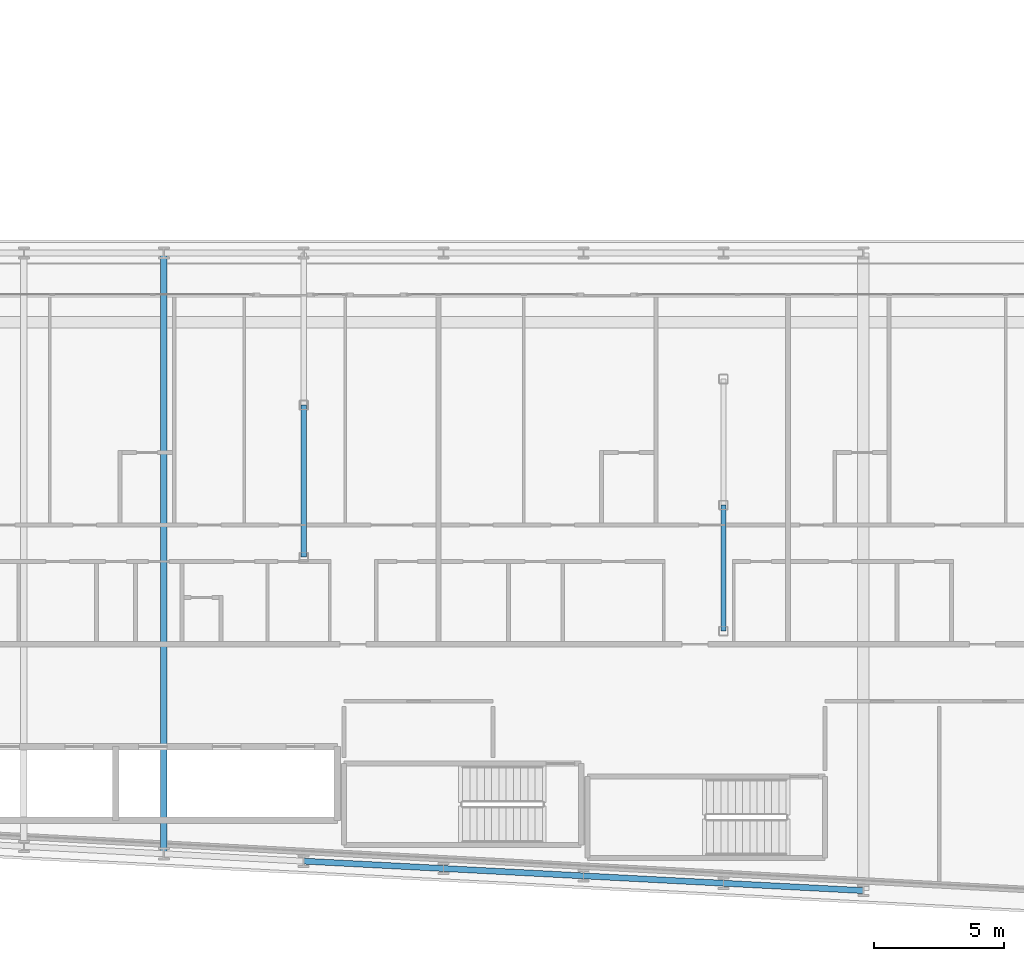
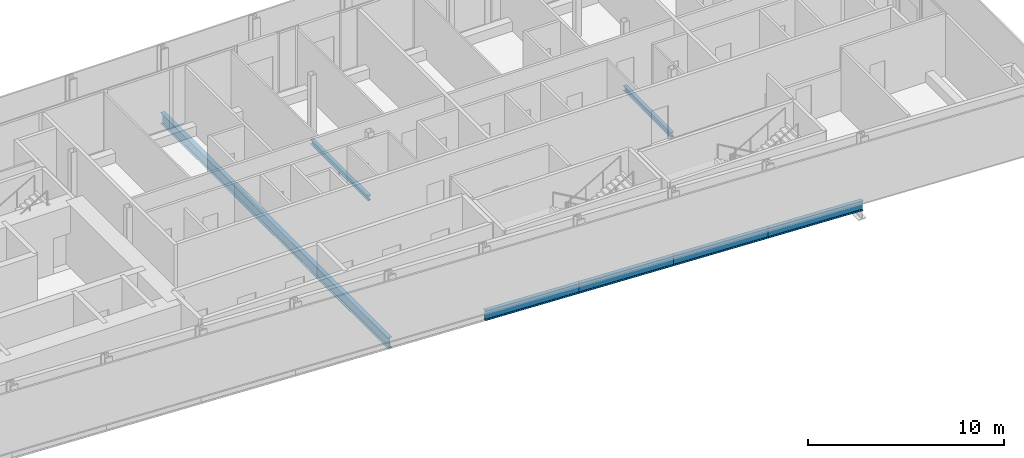
# One storey, part 5 of 29: 7 beams.
"""IFC4 building model written with IfcOpenShell, lengths in metres."""

import ifcopenshell
import ifcopenshell.guid

model = None  # the IFC model being written
_history = None  # IfcOwnerHistory: only IFC2X3 demands one
_inside = {}  # id of a spatial element -> (the spatial element, [elements in it])
_under = {}  # id of a project, library or spatial element -> (it, [spatial elements below it])
_declared = {}  # id of a project -> (the project, [libraries it declares])
_typed = {}  # id of a type object -> (the type object, [elements of that type])
_made_of = {}  # id of a material, layer set ... -> (it, [elements and type objects made of it])


def new_model(schema):
    """Start an empty IFC model of exactly this schema.

    Asked for "IFC4X3", IfcOpenShell would pick the latest addendum, in which some entities
    have other attributes; the version numbers below select the first issue.
    IFC2X3 requires an IfcOwnerHistory on every rooted entity: one is made here for all.
    """
    global model, _history
    if schema == "IFC4X3":
        model = ifcopenshell.file(schema_version=(4, 3, 0, 0))
    else:
        model = ifcopenshell.file(schema=schema)
    _inside.clear()
    _under.clear()
    _declared.clear()
    _typed.clear()
    _made_of.clear()
    _history = None
    if model.schema == "IFC2X3":
        org = make("IfcOrganization", Name="unknown")
        user = make(
            "IfcPersonAndOrganization",
            ThePerson=make("IfcPerson", FamilyName="unknown"),
            TheOrganization=org,
        )
        app = make(
            "IfcApplication",
            ApplicationDeveloper=org,
            Version="unknown",
            ApplicationFullName="unknown",
            ApplicationIdentifier="unknown",
        )
        _history = make(
            "IfcOwnerHistory",
            OwningUser=user,
            OwningApplication=app,
            ChangeAction="ADDED",
            CreationDate=0,
        )
    return model


def make(cls, **values):
    """One entity of the class cls with the attributes given. An attribute that is None is left unset."""
    return model.create_entity(
        cls, **{name: value for name, value in values.items() if value is not None}
    )


def rooted(cls, **values):
    """An entity with a GlobalId (a new one), such as an element, a storey or a relation."""
    return make(cls, GlobalId=ifcopenshell.guid.new(), OwnerHistory=_history, **values)


def si_unit(unit_type, name, prefix=None):
    """IfcSIUnit, for example si_unit("LENGTHUNIT", "METRE", prefix="MILLI")."""
    return make("IfcSIUnit", UnitType=unit_type, Prefix=prefix, Name=name)


def assignment(units):
    """IfcUnitAssignment: the units of a project."""
    return None if units is None else make("IfcUnitAssignment", Units=units)


def point(xyz):
    """IfcCartesianPoint."""
    return None if xyz is None else make("IfcCartesianPoint", Coordinates=xyz)


def direction(xyz):
    """IfcDirection."""
    return None if xyz is None else make("IfcDirection", DirectionRatios=xyz)


def frame(location, z_axis=None, x_axis=None):
    """IfcAxis2Placement3D, a coordinate frame: its origin and axes. An axis left out is left unset."""
    return make(
        "IfcAxis2Placement3D",
        Location=point(location),
        Axis=direction(z_axis),
        RefDirection=direction(x_axis),
    )


def frame_2d(location, x_axis=None):
    """IfcAxis2Placement2D, a coordinate frame in the plane: its origin and x axis."""
    return make(
        "IfcAxis2Placement2D", Location=point(location), RefDirection=direction(x_axis)
    )


def origin():
    """The frame at (0, 0, 0) with its axes left unset."""
    return frame((0.0, 0.0, 0.0))


def origin_2d():
    """The frame at (0, 0) in the plane with its x axis left unset."""
    return frame_2d((0.0, 0.0))


def place(relative_to, where):
    """IfcLocalPlacement: puts the frame where relative to a parent placement (None: the world)."""
    return make(
        "IfcLocalPlacement", PlacementRelTo=relative_to, RelativePlacement=where
    )


def context(
    kind, dimensions, precision=None, world=None, true_north=None, identifier=None
):
    """IfcGeometricRepresentationContext, for example the 3D "Model" context."""
    return make(
        "IfcGeometricRepresentationContext",
        ContextIdentifier=identifier,
        ContextType=kind,
        CoordinateSpaceDimension=dimensions,
        Precision=precision,
        WorldCoordinateSystem=world,
        TrueNorth=true_north,
    )


def subcontext(parent, identifier, kind, view, scale=None):
    """IfcGeometricRepresentationSubContext, for example "Body" below "Model"."""
    return make(
        "IfcGeometricRepresentationSubContext",
        ContextIdentifier=identifier,
        ContextType=kind,
        ParentContext=parent,
        TargetScale=scale,
        TargetView=view,
    )


def project(units=None, contexts=None):
    """IfcProject with its units and contexts."""
    return rooted(
        "IfcProject",
        Name="project",
        RepresentationContexts=contexts,
        UnitsInContext=assignment(units),
    )


def spatial(cls, under=None, at=None, **own):
    """A site, building, storey or space (cls), placed at a placement, below another one or the project."""
    s = rooted(cls, ObjectPlacement=at, **own)
    if under is not None:
        _under.setdefault(under.id(), (under, []))[1].append(s)
    return s


def profile(cls, at=None, kind="AREA", **sizes):
    """A parametric profile (cls). Its sizes go by their IFC names, for example OverallWidth=200.0."""
    return make(cls, ProfileType=kind, Position=at, **sizes)


def i_section(**sizes):
    """IfcIShapeProfileDef."""
    return profile("IfcIShapeProfileDef", **sizes)


def extrude(swept, where, along, depth):
    """IfcExtrudedAreaSolid: the profile swept, set in the frame where, extruded along a direction by depth."""
    return make(
        "IfcExtrudedAreaSolid",
        SweptArea=swept,
        Position=where,
        ExtrudedDirection=direction(along),
        Depth=depth,
    )


def shape(context_of_items, identifier, shape_type, items):
    """IfcShapeRepresentation: the items that make up one representation, for example the "Body"."""
    return make(
        "IfcShapeRepresentation",
        ContextOfItems=context_of_items,
        RepresentationIdentifier=identifier,
        RepresentationType=shape_type,
        Items=items,
    )


def material(Name=None, Category=None):
    """IfcMaterial."""
    return make("IfcMaterial", Name=Name, Category=Category)


def material_profile(
    of_material, cross_section, Name=None, Category=None, Priority=None
):
    """IfcMaterialProfile: a cross section and its material."""
    return make(
        "IfcMaterialProfile",
        Name=Name,
        Material=of_material,
        Profile=cross_section,
        Priority=Priority,
        Category=Category,
    )


def profile_set(profiles, Name=None, composite=None):
    """IfcMaterialProfileSet."""
    return make(
        "IfcMaterialProfileSet",
        Name=Name,
        MaterialProfiles=profiles,
        CompositeProfile=composite,
    )


def made_of(thing, what):
    """Note that an element or type object is made of a material, layer set ...; save() writes the relation."""
    if what is not None:
        _made_of.setdefault(what.id(), (what, []))[1].append(thing)
    return thing


def type_object(cls, material=None, **own):
    """A type object (cls), such as IfcWallType, which elements share."""
    return made_of(rooted(cls, **own), material)


def element(
    cls,
    number,
    at=None,
    inside=None,
    cuts=None,
    type_object=None,
    material=None,
    context=None,
    identifier="Body",
    shape_type=None,
    held_by="IfcProductDefinitionShape",
    body=None,
    shapes=None,
    **own,
):
    """One element of the class cls, such as IfcWall. Its Tag is "e" and its number.

    at: its placement. inside: the storey or other place that contains it. cuts: it is an
    opening in that element (IfcRelVoidsElement). A single representation is given by context,
    identifier, shape_type and body (its items); several are given by shapes. held_by: the class
    of the entity that holds the representations. save() writes the other relations.
    """
    e = rooted(cls, Tag="e%d" % number, ObjectPlacement=at, **own)
    if body is not None:
        shapes = [shape(context, identifier, shape_type, body)]
    if shapes is not None:
        e.Representation = make(held_by, Representations=shapes)
    if inside is not None:
        _inside.setdefault(inside.id(), (inside, []))[1].append(e)
    if cuts is not None:
        rooted(
            "IfcRelVoidsElement", RelatingBuildingElement=cuts, RelatedOpeningElement=e
        )
    if type_object is not None:
        _typed.setdefault(type_object.id(), (type_object, []))[1].append(e)
    return made_of(e, material)


def aggregate(whole, parts):
    """IfcRelAggregates: a whole, such as a stair, and the parts it consists of."""
    return rooted("IfcRelAggregates", RelatingObject=whole, RelatedObjects=parts)


def save(model, path):
    """Write the relations noted so far, then the file.

    IfcRelAggregates (storeys below a building ...), IfcRelContainedInSpatialStructure (elements
    in a storey), IfcRelDefinesByType, IfcRelAssociatesMaterial and IfcRelDeclares: one each for
    every whole, place, type object, material and project.
    """
    for whole, parts in _under.values():
        aggregate(whole, parts)
    for where, things in _inside.values():
        rooted(
            "IfcRelContainedInSpatialStructure",
            RelatedElements=things,
            RelatingStructure=where,
        )
    for kind, things in _typed.values():
        rooted("IfcRelDefinesByType", RelatedObjects=things, RelatingType=kind)
    for what, things in _made_of.values():
        rooted("IfcRelAssociatesMaterial", RelatedObjects=things, RelatingMaterial=what)
    for by, libraries in _declared.values():
        rooted("IfcRelDeclares", RelatingContext=by, RelatedDefinitions=libraries)
    model.write(path)


model = new_model("IFC4")

# Units and contexts
model_context = context("Model", 3, precision=1e-05, world=origin(), true_north=direction((0.0, 1.0)))
body_context = subcontext(model_context, "Body", "Model", "MODEL_VIEW")
ifc_project = project(units=[si_unit("LENGTHUNIT", "METRE"), si_unit("AREAUNIT", "SQUARE_METRE"), si_unit("VOLUMEUNIT", "CUBIC_METRE"), si_unit("PLANEANGLEUNIT", "RADIAN"), si_unit("MASSUNIT", "GRAM", prefix="KILO")], contexts=[model_context])

# Site, building, storey
site_placement = place(None, origin())
site = spatial("IfcSite", under=ifc_project, at=site_placement, CompositionType="ELEMENT")
building_placement = place(site_placement, origin())
building = spatial("IfcBuilding", under=site, at=building_placement, Name="Kheshtan School and Residences Tower", CompositionType="ELEMENT")
storey_placement = place(building_placement, frame((0.0, 0.0, 69.5)))
storey = spatial("IfcBuildingStorey", under=building, at=storey_placement, Name="L16", CompositionType="ELEMENT", Elevation=69.5)

# Beams
ifc_material = material(Name="Steel ASTM A992 Grade 50", Category="steel")
ifc_material_profile_1 = material_profile(ifc_material, i_section(OverallWidth=0.202880859375, OverallDepth=0.302978515625, WebThickness=0.007568359375, FlangeThickness=0.01318359375, FilletRadius=0.009033203125, at=origin_2d()), Name="W310x60")
ifc_profile_set_1 = profile_set([ifc_material_profile_1], Name="Steel ASTM A992 Grade 50")
beam_type_1 = type_object("IfcBeamType", Name="Beam FB1 W310x60 ASTM A992 Grade 50", PredefinedType="BEAM", material=ifc_profile_set_1)
beam_1_placement = place(storey_placement, frame((85.39990234375, 31.0048828125, -0.301513671875), z_axis=(0.0, 1.0, 0.0), x_axis=(-1.0, 0.0, 0.0)))
element("IfcBeam", 1, at=beam_1_placement, inside=storey, type_object=beam_type_1, Name="Floor beam IC", PredefinedType="BEAM", context=body_context, shape_type="SweptSolid", body=[
    extrude(i_section(OverallWidth=0.202880859375, OverallDepth=0.302978515625, WebThickness=0.007568359375, FlangeThickness=0.01318359375, FilletRadius=0.009033203125, at=origin_2d()), origin(), (0.0, 0.0, 1.0), 4.865234375),
])
beam_2_placement = place(storey_placement, frame((69.199951171875, 33.863037109375, -0.301513671875), z_axis=(0.0, 1.0, 0.0), x_axis=(-1.0, 0.0, 0.0)))
element("IfcBeam", 2, at=beam_2_placement, inside=storey, type_object=beam_type_1, Name="Floor beam IC", PredefinedType="BEAM", context=body_context, shape_type="SweptSolid", body=[
    extrude(i_section(OverallWidth=0.202880859375, OverallDepth=0.302978515625, WebThickness=0.007568359375, FlangeThickness=0.01318359375, FilletRadius=0.009033203125, at=origin_2d()), origin(), (0.0, 0.0, 1.0), 5.868896484375),
])
ifc_material_profile_2 = material_profile(ifc_material, i_section(OverallWidth=0.2529296875, OverallDepth=0.677978515625, WebThickness=0.01171875, FlangeThickness=0.016357421875, FilletRadius=0.0146484375, at=origin_2d()), Name="W690x125")
ifc_profile_set_2 = profile_set([ifc_material_profile_2], Name="Steel ASTM A992 Grade 50")
beam_type_2 = type_object("IfcBeamType", Name="Beam FB6 W690x125 ASTM A992 Grade 50", PredefinedType="BEAM", material=ifc_profile_set_2)
beam_3_placement = place(storey_placement, frame((63.800048828125, 22.410888671875, -0.489013671875), z_axis=(0.0, 1.0, 0.0), x_axis=(-1.0, 0.0, 0.0)))
element("IfcBeam", 3, at=beam_3_placement, inside=storey, type_object=beam_type_2, Name="Floor beam C016", PredefinedType="BEAM", context=body_context, shape_type="SweptSolid", body=[
    extrude(i_section(OverallWidth=0.2529296875, OverallDepth=0.677978515625, WebThickness=0.01171875, FlangeThickness=0.016357421875, FilletRadius=0.0146484375, at=origin_2d()), origin(), (0.0, 0.0, 1.0), 23.189208984375),
])
ifc_material_profile_3 = material_profile(ifc_material, i_section(OverallWidth=0.22998046875, OverallDepth=0.616943359375, WebThickness=0.01318359375, FlangeThickness=0.022216796875, FilletRadius=0.0185546875, at=origin_2d()), Name="W610x140")
ifc_profile_set_3 = profile_set([ifc_material_profile_3], Name="Steel ASTM A992 Grade 50")
beam_type_3 = type_object("IfcBeamType", Name="Beam SP1 W610x140 ASTM A992 Grade 50", PredefinedType="BEAM", material=ifc_profile_set_3)
beam_4_placement = place(storey_placement, frame((90.800048828125, 20.989990234375, -0.45849609375), z_axis=(-0.998620571751, 0.05250670125, 0.0), x_axis=(-0.05250670125, -0.998620571751, 0.0)))
element("IfcBeam", 4, at=beam_4_placement, inside=storey, type_object=beam_type_3, Name="Spandrel beam C006-C008", PredefinedType="BEAM", context=body_context, shape_type="SweptSolid", body=[
    extrude(i_section(OverallWidth=0.22998046875, OverallDepth=0.616943359375, WebThickness=0.01318359375, FlangeThickness=0.022216796875, FilletRadius=0.0185546875, at=origin_2d()), origin(), (0.0, 0.0, 1.0), 5.40771484375),
])
for number, where, z_axis, x_axis, name in (
    (5, (85.39990234375, 21.27392578125, -0.45849609375), (-0.998618078766, 0.052554093665, 0.0), (-0.052554093665, -0.998618078766, 0.0), "Spandrel beam C008-C012"),
    (6, (80.0, 21.55810546875, -0.45849609375), (-0.998610961136, 0.052689166816, 0.0), (-0.052689166816, -0.998610961136, 0.0), "Spandrel beam C012-C013"),
):
    element("IfcBeam", number, at=place(storey_placement, frame(where, z_axis=z_axis, x_axis=x_axis)), inside=storey, type_object=beam_type_3, Name=name, PredefinedType="BEAM", context=body_context, shape_type="SweptSolid", body=[
        extrude(i_section(OverallWidth=0.22998046875, OverallDepth=0.616943359375, WebThickness=0.01318359375, FlangeThickness=0.022216796875, FilletRadius=0.0185546875, at=origin_2d()), origin(), (0.0, 0.0, 1.0), 5.407470703125),
    ])
beam_5_placement = place(storey_placement, frame((74.60009765625, 21.843017578125, -0.45849609375), z_axis=(-0.998620571751, 0.05250670125, 0.0), x_axis=(-0.05250670125, -0.998620571751, 0.0)))
element("IfcBeam", 7, at=beam_5_placement, inside=storey, type_object=beam_type_3, Name="Spandrel beam C013-C014", PredefinedType="BEAM", context=body_context, shape_type="SweptSolid", body=[
    extrude(i_section(OverallWidth=0.22998046875, OverallDepth=0.616943359375, WebThickness=0.01318359375, FlangeThickness=0.022216796875, FilletRadius=0.0185546875, at=origin_2d()), origin(), (0.0, 0.0, 1.0), 5.40771484375),
])

save(model, "model.ifc")
